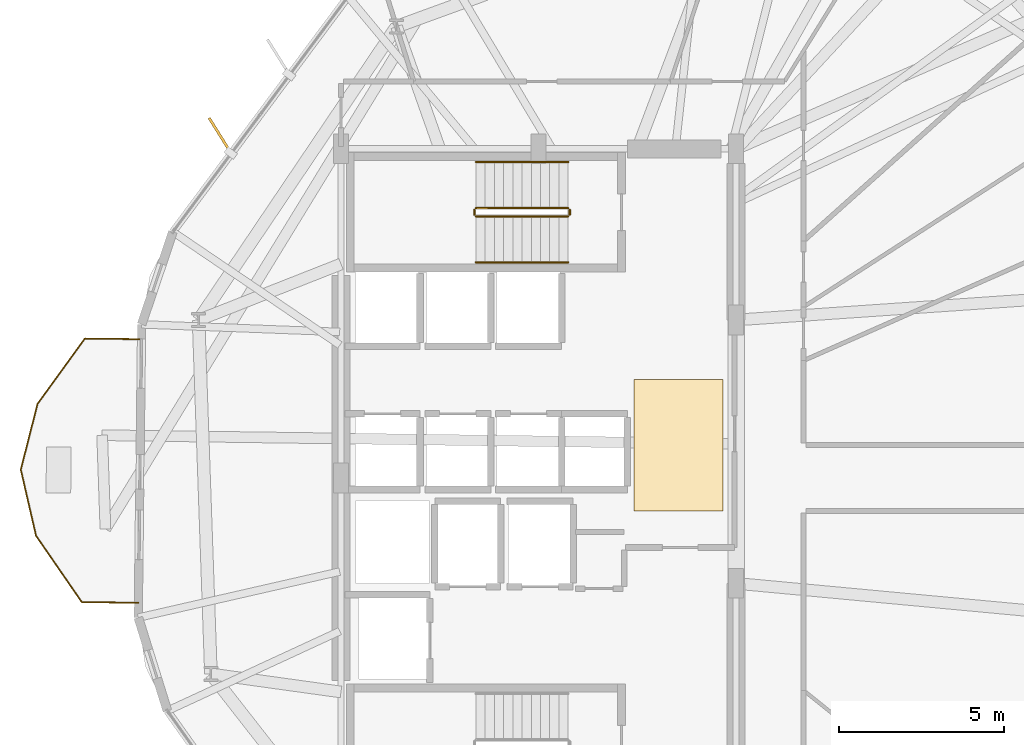
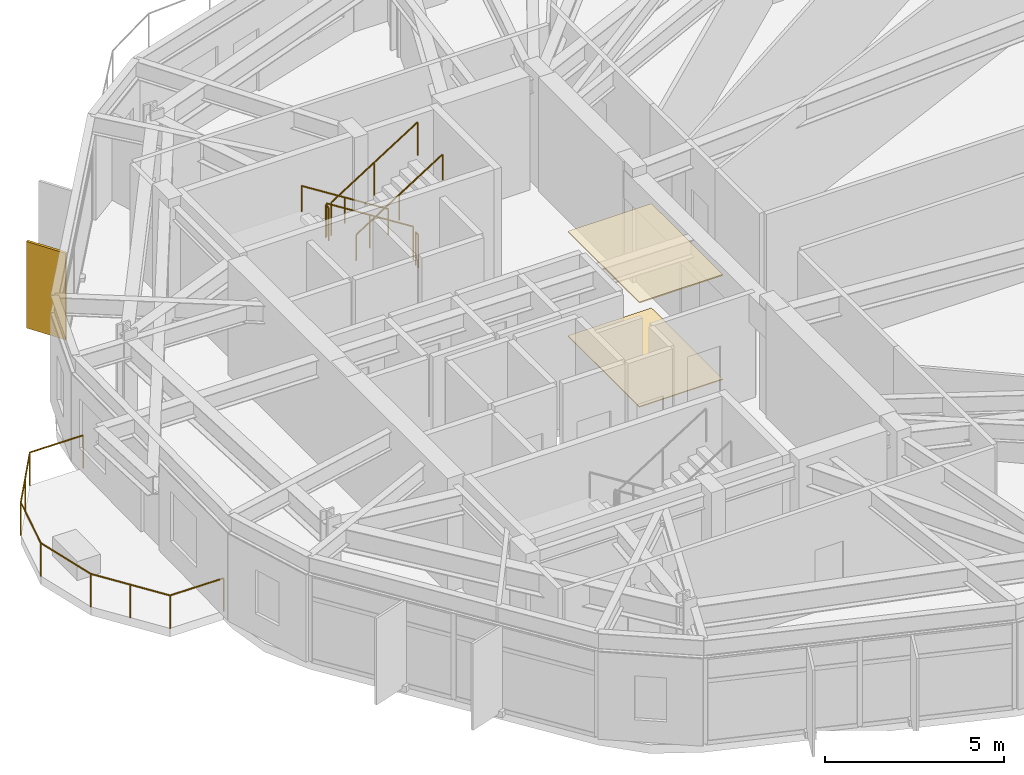
# One storey, part 26 of 27: 7 railings, 2 coverings, 1 shading device.
"""IFC4 building model written with IfcOpenShell, lengths in metres."""

from ifc_helpers import new_model, si_unit, direction, frame, origin, origin_2d, place, context, subcontext, project, spatial, polyline, rectangle, circle, outline, extrude, material, layer, layer_set, type_object, element, save


model = new_model("IFC4")

# Units and contexts
model_context = context("Model", 3, precision=1e-05, world=origin(), true_north=direction((0.0, 1.0)))
body_context = subcontext(model_context, "Body", "Model", "MODEL_VIEW")
ifc_project = project(units=[si_unit("LENGTHUNIT", "METRE"), si_unit("AREAUNIT", "SQUARE_METRE"), si_unit("VOLUMEUNIT", "CUBIC_METRE"), si_unit("PLANEANGLEUNIT", "RADIAN"), si_unit("MASSUNIT", "GRAM", prefix="KILO")], contexts=[model_context])

# Site, building, storey
site_placement = place(None, origin())
site = spatial("IfcSite", under=ifc_project, at=site_placement, CompositionType="ELEMENT")
building_placement = place(site_placement, origin())
building = spatial("IfcBuilding", under=site, at=building_placement, Name="Soratama Intermodal Tower", CompositionType="ELEMENT")
storey_placement = place(building_placement, frame((0.0, 0.0, 95.199951171875)))
storey = spatial("IfcBuildingStorey", under=building, at=storey_placement, Name="L22", CompositionType="ELEMENT", Elevation=95.199951171875)

# Coverings
ifc_material_1 = material(Name="Perforated mineral acoustic ceiling", Category="concrete")
ifc_layer_1 = layer(ifc_material_1, 0.0400390625)
ifc_layer_set_1 = layer_set([ifc_layer_1], Name="Perforated mineral acoustic ceiling")
covering_type_1 = type_object("IfcCoveringType", Name="CV-CEIL-ACOUSTIC", PredefinedType="CEILING", material=ifc_layer_set_1)
covering_1_placement = place(storey_placement, frame((0.0, 0.0, 3.56005859375)))
element("IfcCovering", 1, at=covering_1_placement, inside=storey, type_object=covering_type_1, Name="L22 Acoustic Ceiling", PredefinedType="CEILING", context=body_context, shape_type="SweptSolid", body=[
    extrude(outline(polyline([(41.5, 24.0), (44.199951171875, 24.0), (44.199951171875, 28.0), (41.5, 28.0), (41.5, 24.0)])), origin(), (0.0, 0.0, 1.0), 0.0400390625),
])
ifc_material_2 = material(Name="Polished Andean stone terrazzo flooring", Category="masonry")
ifc_layer_2 = layer(ifc_material_2, 0.030029296875)
ifc_layer_set_2 = layer_set([ifc_layer_2], Name="Polished Andean stone terrazzo flooring")
covering_type_2 = type_object("IfcCoveringType", Name="CV-FLOR-TERRAZZO", PredefinedType="FLOORING", material=ifc_layer_set_2)
covering_2_placement = place(storey_placement, origin())
element("IfcCovering", 2, at=covering_2_placement, inside=storey, type_object=covering_type_2, Name="L22 Lobby Terrazzo Flooring", PredefinedType="FLOORING", context=body_context, shape_type="SweptSolid", body=[
    extrude(outline(polyline([(41.5, 24.0), (44.199951171875, 24.0), (44.199951171875, 28.0), (41.5, 28.0), (41.5, 24.0)])), origin(), (0.0, 0.0, 1.0), 0.030029296875),
])

# Railings
ifc_material_3 = material(Name="Laminated glass and stainless steel balustrade", Category="steel")
railing_type_1 = type_object("IfcRailingType", Name="RL-BAL-1150", PredefinedType="BALUSTRADE", material=ifc_material_3)
railing_1_placement = place(storey_placement, frame((26.4462890625, 21.209228515625, 0.0)))
element("IfcRailing", 3, at=railing_1_placement, inside=storey, type_object=railing_type_1, Name="L22 Balcony Balustrade 3", PredefinedType="BALUSTRADE", context=body_context, shape_type="SweptSolid", body=[
    extrude(circle(Radius=0.02392578125, at=origin_2d()), frame((0.0, 0.0, 1.1259765625), z_axis=(-0.999933910116, 0.011496756099, 0.0), x_axis=(-0.011496756099, -0.999933910116, 0.0)), (0.0, 0.0, 1.0), 1.719970703125),
    extrude(circle(Radius=0.02392578125, at=origin_2d()), frame((-1.719970703125, 0.019775390625, 1.1259765625), z_axis=(-0.567707358334, 0.823230438756, 0.0), x_axis=(-0.823230438756, -0.567707358334, 0.0)), (0.0, 0.0, 1.0), 2.45166015625),
    extrude(circle(Radius=0.02392578125, at=origin_2d()), frame((-3.11181640625, 2.0380859375, 1.1259765625), z_axis=(-0.224227609169, 0.974536802428, 0.0), x_axis=(-0.974536802428, -0.224227609169, 0.0)), (0.0, 0.0, 1.0), 2.06005859375),
    extrude(circle(Radius=0.02392578125, at=origin_2d()), frame((-3.57373046875, 4.045654296875, 1.1259765625), z_axis=(0.246632734771, 0.969109020771, 0.0), x_axis=(-0.969109020771, 0.246632734771, 0.0)), (0.0, 0.0, 1.0), 2.06005859375),
    extrude(circle(Radius=0.02392578125, at=origin_2d()), frame((-3.065673828125, 6.0419921875, 1.1259765625), z_axis=(0.586500802147, 0.809948645953, 0.0), x_axis=(-0.809948645953, 0.586500802147, 0.0)), (0.0, 0.0, 1.0), 2.451904296875),
    extrude(circle(Radius=0.02392578125, at=origin_2d()), frame((-1.627685546875, 8.02783203125, 1.1259765625), z_axis=(0.999933910116, -0.011496756099, 0.0), x_axis=(0.011496756099, 0.999933910116, 0.0)), (0.0, 0.0, 1.0), 1.719970703125),
    extrude(circle(Radius=0.02099609375, at=origin_2d()), origin(), (0.0, 0.0, 1.0), 1.101806640625),
    extrude(circle(Radius=0.02099609375, at=origin_2d()), frame((-1.719970703125, 0.019775390625, 0.0)), (0.0, 0.0, 1.0), 1.101806640625),
    extrude(circle(Radius=0.02099609375, at=origin_2d()), frame((-2.416015625, 1.02880859375, 0.0)), (0.0, 0.0, 1.0), 1.101806640625),
    extrude(circle(Radius=0.02099609375, at=origin_2d()), frame((-3.11181640625, 2.0380859375, 0.0)), (0.0, 0.0, 1.0), 1.101806640625),
    extrude(circle(Radius=0.02099609375, at=origin_2d()), frame((-3.57373046875, 4.045654296875, 0.0)), (0.0, 0.0, 1.0), 1.101806640625),
    extrude(circle(Radius=0.02099609375, at=origin_2d()), frame((-3.065673828125, 6.0419921875, 0.0)), (0.0, 0.0, 1.0), 1.101806640625),
    extrude(circle(Radius=0.02099609375, at=origin_2d()), frame((-2.3466796875, 7.034912109375, 0.0)), (0.0, 0.0, 1.0), 1.101806640625),
    extrude(circle(Radius=0.02099609375, at=origin_2d()), frame((-1.627685546875, 8.02783203125, 0.0)), (0.0, 0.0, 1.0), 1.101806640625),
    extrude(circle(Radius=0.02099609375, at=origin_2d()), frame((0.09228515625, 8.008056640625, 0.0)), (0.0, 0.0, 1.0), 1.101806640625),
])
ifc_material_4 = material(Name="Painted steel stair guardrail", Category="steel")
railing_type_2 = type_object("IfcRailingType", Name="RL-STAIR-GUARD", PredefinedType="GUARDRAIL", material=ifc_material_4)
railing_2_placement = place(storey_placement, frame((39.5, 33.199951171875, 0.17724609375)))
element("IfcRailing", 4, at=railing_2_placement, inside=storey, type_object=railing_type_2, Name="L22 ST-2 stair guard 1", PredefinedType="GUARDRAIL", context=body_context, shape_type="SweptSolid", body=[
    extrude(circle(Radius=0.02392578125, at=origin_2d()), frame((0.0, 0.0, 1.1259765625), z_axis=(-0.844908973607, 0.0, 0.534910110503), x_axis=(0.0, -1.0, 0.0)), (0.0, 0.0, 1.0), 3.31396484375),
    extrude(circle(Radius=0.02099609375, at=origin_2d()), origin(), (0.0, 0.0, 1.0), 1.101806640625),
    extrude(circle(Radius=0.02099609375, at=origin_2d()), frame((-1.39990234375, 0.0, 0.88623046875)), (0.0, 0.0, 1.0), 1.101806640625),
    extrude(circle(Radius=0.02099609375, at=origin_2d()), frame((-2.800048828125, 0.0, 1.772705078125)), (0.0, 0.0, 1.0), 1.101806640625),
])
railing_3_placement = place(storey_placement, frame((36.64990234375, 33.14990234375, 1.949951171875)))
element("IfcRailing", 5, at=railing_3_placement, inside=storey, type_object=railing_type_2, Name="L22 ST-2 stair guard 2", PredefinedType="GUARDRAIL", context=body_context, shape_type="SweptSolid", body=[
    extrude(circle(Radius=0.02392578125, at=origin_2d()), frame((0.0, 0.0, 1.1259765625), z_axis=(0.0, -1.0, 0.0), x_axis=(1.0, 0.0, 0.0)), (0.0, 0.0, 1.0), 0.14990234375),
    extrude(circle(Radius=0.02099609375, at=origin_2d()), origin(), (0.0, 0.0, 1.0), 1.101806640625),
    extrude(circle(Radius=0.02099609375, at=origin_2d()), frame((0.0, -0.14990234375, 0.0)), (0.0, 0.0, 1.0), 1.101806640625),
])
railing_4_placement = place(storey_placement, frame((36.699951171875, 32.949951171875, 2.12744140625)))
element("IfcRailing", 6, at=railing_4_placement, inside=storey, type_object=railing_type_2, Name="L22 ST-2 stair guard 3", PredefinedType="GUARDRAIL", context=body_context, shape_type="SweptSolid", body=[
    extrude(circle(Radius=0.02392578125, at=origin_2d()), frame((0.0, 0.0, 1.1259765625), z_axis=(0.844908973607, 0.0, 0.534910110503), x_axis=(0.0, 1.0, 0.0)), (0.0, 0.0, 1.0), 3.31396484375),
    extrude(circle(Radius=0.02099609375, at=origin_2d()), origin(), (0.0, 0.0, 1.0), 1.101806640625),
    extrude(circle(Radius=0.02099609375, at=origin_2d()), frame((1.39990234375, 0.0, 0.88623046875)), (0.0, 0.0, 1.0), 1.101806640625),
    extrude(circle(Radius=0.02099609375, at=origin_2d()), frame((2.800048828125, 0.0, 1.772705078125)), (0.0, 0.0, 1.0), 1.101806640625),
])
railing_5_placement = place(storey_placement, frame((39.550048828125, 33.14990234375, 0.0)))
element("IfcRailing", 7, at=railing_5_placement, inside=storey, type_object=railing_type_2, Name="L22 ST-2 stair guard 4", PredefinedType="GUARDRAIL", context=body_context, shape_type="SweptSolid", body=[
    extrude(circle(Radius=0.02392578125, at=origin_2d()), frame((0.0, 0.0, 1.1259765625), z_axis=(0.0, -1.0, 0.0), x_axis=(1.0, 0.0, 0.0)), (0.0, 0.0, 1.0), 0.14990234375),
    extrude(circle(Radius=0.02099609375, at=origin_2d()), origin(), (0.0, 0.0, 1.0), 1.101806640625),
    extrude(circle(Radius=0.02099609375, at=origin_2d()), frame((0.0, -0.14990234375, 0.0)), (0.0, 0.0, 1.0), 1.101806640625),
])
ifc_material_5 = material(Name="Brushed stainless steel handrail", Category="steel")
railing_type_3 = type_object("IfcRailingType", Name="RL-STAIR-HAND", PredefinedType="HANDRAIL", material=ifc_material_5)
railing_6_placement = place(storey_placement, frame((39.5, 34.60009765625, 0.17724609375)))
element("IfcRailing", 8, at=railing_6_placement, inside=storey, type_object=railing_type_3, Name="L22 ST-2 stair handrail 1", PredefinedType="HANDRAIL", context=body_context, shape_type="SweptSolid", body=[
    extrude(circle(Radius=0.02392578125, at=origin_2d()), frame((0.0, 0.0, 0.8759765625), z_axis=(-0.844908973607, 0.0, 0.534910110503), x_axis=(0.0, -1.0, 0.0)), (0.0, 0.0, 1.0), 3.31396484375),
    extrude(circle(Radius=0.02099609375, at=origin_2d()), origin(), (0.0, 0.0, 1.0), 0.851806640625),
    extrude(circle(Radius=0.02099609375, at=origin_2d()), frame((-1.39990234375, 0.0, 0.88623046875)), (0.0, 0.0, 1.0), 0.851806640625),
    extrude(circle(Radius=0.02099609375, at=origin_2d()), frame((-2.800048828125, 0.0, 1.772705078125)), (0.0, 0.0, 1.0), 0.851806640625),
])
railing_7_placement = place(storey_placement, frame((36.699951171875, 31.550048828125, 2.12744140625)))
element("IfcRailing", 9, at=railing_7_placement, inside=storey, type_object=railing_type_3, Name="L22 ST-2 stair handrail 2", PredefinedType="HANDRAIL", context=body_context, shape_type="SweptSolid", body=[
    extrude(circle(Radius=0.02392578125, at=origin_2d()), frame((0.0, 0.0, 0.8759765625), z_axis=(0.844908973607, 0.0, 0.534910110503), x_axis=(0.0, 1.0, 0.0)), (0.0, 0.0, 1.0), 3.31396484375),
    extrude(circle(Radius=0.02099609375, at=origin_2d()), origin(), (0.0, 0.0, 1.0), 0.851806640625),
    extrude(circle(Radius=0.02099609375, at=origin_2d()), frame((1.39990234375, 0.0, 0.88623046875)), (0.0, 0.0, 1.0), 0.851806640625),
    extrude(circle(Radius=0.02099609375, at=origin_2d()), frame((2.800048828125, 0.0, 1.772705078125)), (0.0, 0.0, 1.0), 0.851806640625),
])

# Shading device
ifc_material_6 = material(Name="Champagne anodised aluminium solar fin", Category="aluminium")
ifc_layer_3 = layer(ifc_material_6, 0.080078125)
ifc_layer_set_3 = layer_set([ifc_layer_3], Name="Champagne anodised aluminium solar fin")
shading_device_type = type_object("IfcShadingDeviceType", Name="SH-FIN-1250", PredefinedType="USERDEFINED", material=ifc_layer_set_3)
shading_device_placement = place(storey_placement, frame((28.924560546875, 35.406982421875, 0.02001953125), z_axis=(0.0, 0.0, 1.0), x_axis=(-0.529327085883, 0.848417842899, 0.0)))
element("IfcShadingDevice", 10, at=shading_device_placement, inside=storey, type_object=shading_device_type, Name="L22 Solar Fin F04-2", ObjectType="FIN", PredefinedType="USERDEFINED", context=body_context, shape_type="SweptSolid", body=[
    extrude(rectangle(XDim=1.25, YDim=0.080078125, at=origin_2d()), origin(), (0.0, 0.0, 1.0), 2.958984375),
])

save(model, "model.ifc")
